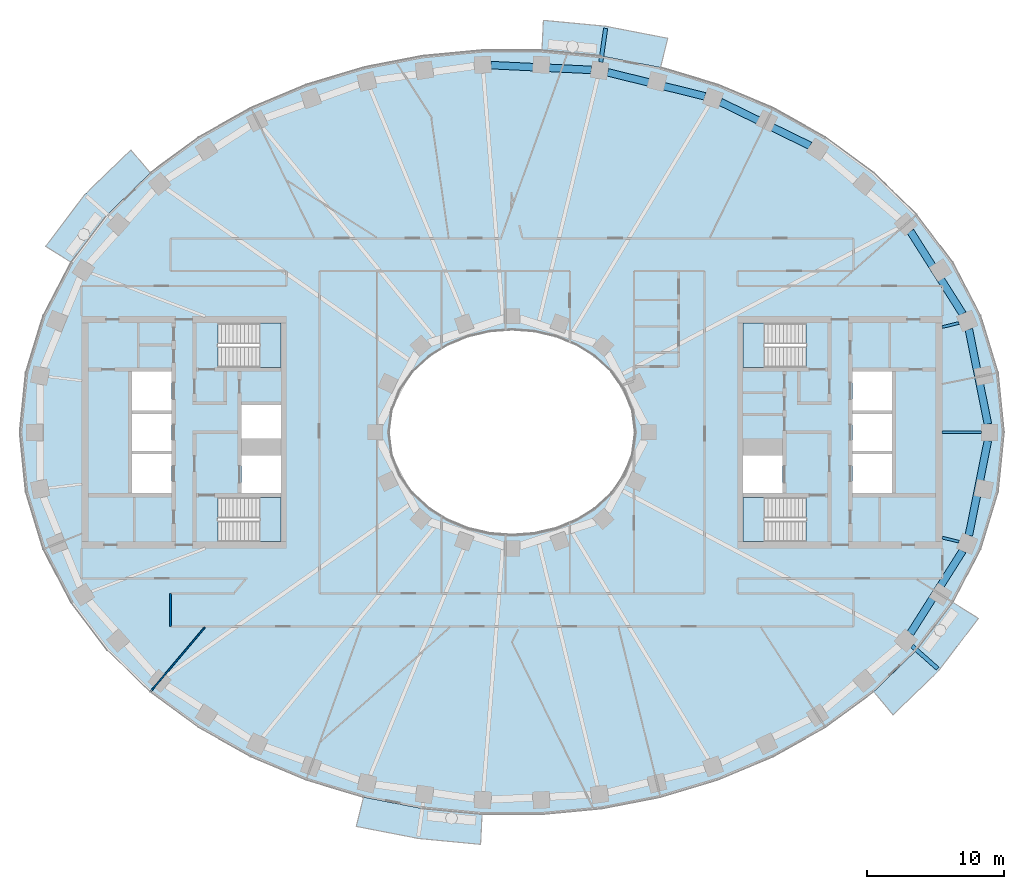
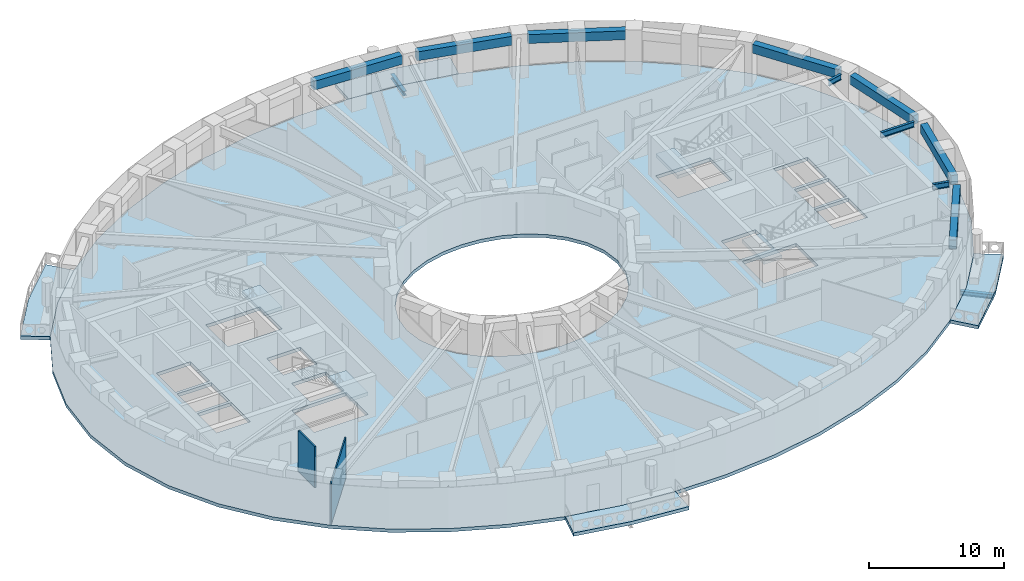
# One storey, part 2 of 16: 12 beams, 9 slabs, 2 walls, 4 elements without a shape of their own.
"""IFC4 building model written with IfcOpenShell, lengths in metres."""

import ifcopenshell
import ifcopenshell.guid

model = None  # the IFC model being written
_history = None  # IfcOwnerHistory: only IFC2X3 demands one
_inside = {}  # id of a spatial element -> (the spatial element, [elements in it])
_under = {}  # id of a project, library or spatial element -> (it, [spatial elements below it])
_declared = {}  # id of a project -> (the project, [libraries it declares])
_typed = {}  # id of a type object -> (the type object, [elements of that type])
_made_of = {}  # id of a material, layer set ... -> (it, [elements and type objects made of it])


def new_model(schema):
    """Start an empty IFC model of exactly this schema.

    Asked for "IFC4X3", IfcOpenShell would pick the latest addendum, in which some entities
    have other attributes; the version numbers below select the first issue.
    IFC2X3 requires an IfcOwnerHistory on every rooted entity: one is made here for all.
    """
    global model, _history
    if schema == "IFC4X3":
        model = ifcopenshell.file(schema_version=(4, 3, 0, 0))
    else:
        model = ifcopenshell.file(schema=schema)
    _inside.clear()
    _under.clear()
    _declared.clear()
    _typed.clear()
    _made_of.clear()
    _history = None
    if model.schema == "IFC2X3":
        org = make("IfcOrganization", Name="unknown")
        user = make(
            "IfcPersonAndOrganization",
            ThePerson=make("IfcPerson", FamilyName="unknown"),
            TheOrganization=org,
        )
        app = make(
            "IfcApplication",
            ApplicationDeveloper=org,
            Version="unknown",
            ApplicationFullName="unknown",
            ApplicationIdentifier="unknown",
        )
        _history = make(
            "IfcOwnerHistory",
            OwningUser=user,
            OwningApplication=app,
            ChangeAction="ADDED",
            CreationDate=0,
        )
    return model


def make(cls, **values):
    """One entity of the class cls with the attributes given. An attribute that is None is left unset."""
    return model.create_entity(
        cls, **{name: value for name, value in values.items() if value is not None}
    )


def rooted(cls, **values):
    """An entity with a GlobalId (a new one), such as an element, a storey or a relation."""
    return make(cls, GlobalId=ifcopenshell.guid.new(), OwnerHistory=_history, **values)


def si_unit(unit_type, name, prefix=None):
    """IfcSIUnit, for example si_unit("LENGTHUNIT", "METRE", prefix="MILLI")."""
    return make("IfcSIUnit", UnitType=unit_type, Prefix=prefix, Name=name)


def assignment(units):
    """IfcUnitAssignment: the units of a project."""
    return None if units is None else make("IfcUnitAssignment", Units=units)


def point(xyz):
    """IfcCartesianPoint."""
    return None if xyz is None else make("IfcCartesianPoint", Coordinates=xyz)


def direction(xyz):
    """IfcDirection."""
    return None if xyz is None else make("IfcDirection", DirectionRatios=xyz)


def frame(location, z_axis=None, x_axis=None):
    """IfcAxis2Placement3D, a coordinate frame: its origin and axes. An axis left out is left unset."""
    return make(
        "IfcAxis2Placement3D",
        Location=point(location),
        Axis=direction(z_axis),
        RefDirection=direction(x_axis),
    )


def frame_2d(location, x_axis=None):
    """IfcAxis2Placement2D, a coordinate frame in the plane: its origin and x axis."""
    return make(
        "IfcAxis2Placement2D", Location=point(location), RefDirection=direction(x_axis)
    )


def origin():
    """The frame at (0, 0, 0) with its axes left unset."""
    return frame((0.0, 0.0, 0.0))


def origin_2d():
    """The frame at (0, 0) in the plane with its x axis left unset."""
    return frame_2d((0.0, 0.0))


def place(relative_to, where):
    """IfcLocalPlacement: puts the frame where relative to a parent placement (None: the world)."""
    return make(
        "IfcLocalPlacement", PlacementRelTo=relative_to, RelativePlacement=where
    )


def context(
    kind, dimensions, precision=None, world=None, true_north=None, identifier=None
):
    """IfcGeometricRepresentationContext, for example the 3D "Model" context."""
    return make(
        "IfcGeometricRepresentationContext",
        ContextIdentifier=identifier,
        ContextType=kind,
        CoordinateSpaceDimension=dimensions,
        Precision=precision,
        WorldCoordinateSystem=world,
        TrueNorth=true_north,
    )


def subcontext(parent, identifier, kind, view, scale=None):
    """IfcGeometricRepresentationSubContext, for example "Body" below "Model"."""
    return make(
        "IfcGeometricRepresentationSubContext",
        ContextIdentifier=identifier,
        ContextType=kind,
        ParentContext=parent,
        TargetScale=scale,
        TargetView=view,
    )


def project(units=None, contexts=None):
    """IfcProject with its units and contexts."""
    return rooted(
        "IfcProject",
        Name="project",
        RepresentationContexts=contexts,
        UnitsInContext=assignment(units),
    )


def spatial(cls, under=None, at=None, **own):
    """A site, building, storey or space (cls), placed at a placement, below another one or the project."""
    s = rooted(cls, ObjectPlacement=at, **own)
    if under is not None:
        _under.setdefault(under.id(), (under, []))[1].append(s)
    return s


def polyline(points):
    """IfcPolyline through the points."""
    return make("IfcPolyline", Points=[point(p) for p in points])


def profile(cls, at=None, kind="AREA", **sizes):
    """A parametric profile (cls). Its sizes go by their IFC names, for example OverallWidth=200.0."""
    return make(cls, ProfileType=kind, Position=at, **sizes)


def rectangle(**sizes):
    """IfcRectangleProfileDef."""
    return profile("IfcRectangleProfileDef", **sizes)


def i_section(**sizes):
    """IfcIShapeProfileDef."""
    return profile("IfcIShapeProfileDef", **sizes)


def outline(outer, holes=None, kind="AREA"):
    """IfcArbitraryClosedProfileDef: a profile drawn as a closed curve; with holes, ...WithVoids."""
    if holes is None:
        return make("IfcArbitraryClosedProfileDef", ProfileType=kind, OuterCurve=outer)
    return make(
        "IfcArbitraryProfileDefWithVoids",
        ProfileType=kind,
        OuterCurve=outer,
        InnerCurves=holes,
    )


def extrude(swept, where, along, depth):
    """IfcExtrudedAreaSolid: the profile swept, set in the frame where, extruded along a direction by depth."""
    return make(
        "IfcExtrudedAreaSolid",
        SweptArea=swept,
        Position=where,
        ExtrudedDirection=direction(along),
        Depth=depth,
    )


def shape(context_of_items, identifier, shape_type, items):
    """IfcShapeRepresentation: the items that make up one representation, for example the "Body"."""
    return make(
        "IfcShapeRepresentation",
        ContextOfItems=context_of_items,
        RepresentationIdentifier=identifier,
        RepresentationType=shape_type,
        Items=items,
    )


def material(Name=None, Category=None):
    """IfcMaterial."""
    return make("IfcMaterial", Name=Name, Category=Category)


def layer(
    of_material, thickness, ventilated=None, Name=None, Category=None, Priority=None
):
    """IfcMaterialLayer: one layer of a wall or slab, of a material (None: an air gap)."""
    return make(
        "IfcMaterialLayer",
        Material=of_material,
        LayerThickness=thickness,
        IsVentilated=ventilated,
        Name=Name,
        Category=Category,
        Priority=Priority,
    )


def layer_set(layers, Name=None):
    """IfcMaterialLayerSet."""
    return make("IfcMaterialLayerSet", MaterialLayers=layers, LayerSetName=Name)


def material_profile(
    of_material, cross_section, Name=None, Category=None, Priority=None
):
    """IfcMaterialProfile: a cross section and its material."""
    return make(
        "IfcMaterialProfile",
        Name=Name,
        Material=of_material,
        Profile=cross_section,
        Priority=Priority,
        Category=Category,
    )


def profile_set(profiles, Name=None, composite=None):
    """IfcMaterialProfileSet."""
    return make(
        "IfcMaterialProfileSet",
        Name=Name,
        MaterialProfiles=profiles,
        CompositeProfile=composite,
    )


def made_of(thing, what):
    """Note that an element or type object is made of a material, layer set ...; save() writes the relation."""
    if what is not None:
        _made_of.setdefault(what.id(), (what, []))[1].append(thing)
    return thing


def type_object(cls, material=None, **own):
    """A type object (cls), such as IfcWallType, which elements share."""
    return made_of(rooted(cls, **own), material)


def element(
    cls,
    number,
    at=None,
    inside=None,
    cuts=None,
    type_object=None,
    material=None,
    context=None,
    identifier="Body",
    shape_type=None,
    held_by="IfcProductDefinitionShape",
    body=None,
    shapes=None,
    **own,
):
    """One element of the class cls, such as IfcWall. Its Tag is "e" and its number.

    at: its placement. inside: the storey or other place that contains it. cuts: it is an
    opening in that element (IfcRelVoidsElement). A single representation is given by context,
    identifier, shape_type and body (its items); several are given by shapes. held_by: the class
    of the entity that holds the representations. save() writes the other relations.
    """
    e = rooted(cls, Tag="e%d" % number, ObjectPlacement=at, **own)
    if body is not None:
        shapes = [shape(context, identifier, shape_type, body)]
    if shapes is not None:
        e.Representation = make(held_by, Representations=shapes)
    if inside is not None:
        _inside.setdefault(inside.id(), (inside, []))[1].append(e)
    if cuts is not None:
        rooted(
            "IfcRelVoidsElement", RelatingBuildingElement=cuts, RelatedOpeningElement=e
        )
    if type_object is not None:
        _typed.setdefault(type_object.id(), (type_object, []))[1].append(e)
    return made_of(e, material)


def aggregate(whole, parts):
    """IfcRelAggregates: a whole, such as a stair, and the parts it consists of."""
    return rooted("IfcRelAggregates", RelatingObject=whole, RelatedObjects=parts)


def save(model, path):
    """Write the relations noted so far, then the file.

    IfcRelAggregates (storeys below a building ...), IfcRelContainedInSpatialStructure (elements
    in a storey), IfcRelDefinesByType, IfcRelAssociatesMaterial and IfcRelDeclares: one each for
    every whole, place, type object, material and project.
    """
    for whole, parts in _under.values():
        aggregate(whole, parts)
    for where, things in _inside.values():
        rooted(
            "IfcRelContainedInSpatialStructure",
            RelatedElements=things,
            RelatingStructure=where,
        )
    for kind, things in _typed.values():
        rooted("IfcRelDefinesByType", RelatedObjects=things, RelatingType=kind)
    for what, things in _made_of.values():
        rooted("IfcRelAssociatesMaterial", RelatedObjects=things, RelatingMaterial=what)
    for by, libraries in _declared.values():
        rooted("IfcRelDeclares", RelatingContext=by, RelatedDefinitions=libraries)
    model.write(path)


model = new_model("IFC4")

# Units and contexts
model_context = context("Model", 3, precision=1e-05, world=origin(), true_north=direction((0.0, 1.0)))
body_context = subcontext(model_context, "Body", "Model", "MODEL_VIEW")
ifc_project = project(units=[si_unit("LENGTHUNIT", "METRE"), si_unit("AREAUNIT", "SQUARE_METRE"), si_unit("VOLUMEUNIT", "CUBIC_METRE"), si_unit("PLANEANGLEUNIT", "RADIAN"), si_unit("MASSUNIT", "GRAM", prefix="KILO")], contexts=[model_context])

# Site, building, storey
site_placement = place(None, origin())
site = spatial("IfcSite", under=ifc_project, at=site_placement, CompositionType="ELEMENT")
building_placement = place(site_placement, origin())
building = spatial("IfcBuilding", under=site, at=building_placement, Name="Noorbagh Ring Tower", CompositionType="ELEMENT")
storey_placement = place(building_placement, frame((0.0, 0.0, 124.0)))
storey = spatial("IfcBuildingStorey", under=building, at=storey_placement, Name="L28", CompositionType="ELEMENT", Elevation=124.0)

# Beams
ifc_material_1 = material(Name="Steel S355", Category="steel")
ifc_material_profile_1 = material_profile(ifc_material_1, i_section(OverallWidth=0.300048828125, OverallDepth=0.39990234375, WebThickness=0.013427734375, FlangeThickness=0.02392578125, FilletRadius=0.027099609375, at=origin_2d()), Name="HEB400")
ifc_profile_set_1 = profile_set([ifc_material_profile_1], Name="Steel S355")
beam_type_1 = type_object("IfcBeamType", Name="STR-BALCONY-BRACKET-HEB400", PredefinedType="BEAM", material=ifc_profile_set_1)
beam_1_placement = place(storey_placement, frame((6.495849609375, 27.089599609375, -0.5), z_axis=(0.143035199344, 0.98971760202, 0.0), x_axis=(-0.98971760202, 0.143035199344, 0.0)))
element("IfcBeam", 1, at=beam_1_placement, inside=storey, type_object=beam_type_1, Name="Balcony bracket beam BN03", PredefinedType="BEAM", context=body_context, shape_type="SweptSolid", body=[
    extrude(i_section(OverallWidth=0.300048828125, OverallDepth=0.39990234375, WebThickness=0.013427734375, FlangeThickness=0.02392578125, FilletRadius=0.027099609375, at=origin_2d()), origin(), (0.0, 0.0, 1.0), 2.498779296875),
])
beam_2_placement = place(storey_placement, frame((29.27197265625, -15.63134765625, -0.5), z_axis=(0.749063543205, -0.662498157161, 0.0), x_axis=(0.662498157161, 0.749063543205, 0.0)))
element("IfcBeam", 2, at=beam_2_placement, inside=storey, type_object=beam_type_1, Name="Balcony bracket beam BS06", PredefinedType="BEAM", context=body_context, shape_type="SweptSolid", body=[
    extrude(i_section(OverallWidth=0.300048828125, OverallDepth=0.39990234375, WebThickness=0.013427734375, FlangeThickness=0.02392578125, FilletRadius=0.027099609375, at=origin_2d()), origin(), (0.0, 0.0, 1.0), 2.50439453125),
])
ifc_material_2 = material(Name="Steel S355", Category="steel")
ifc_material_profile_2 = material_profile(ifc_material_2, i_section(OverallWidth=0.199951171875, OverallDepth=0.5, WebThickness=0.01025390625, FlangeThickness=0.01611328125, FilletRadius=0.02099609375, at=origin_2d()), Name="IPE500")
ifc_profile_set_2 = profile_set([ifc_material_profile_2], Name="Steel S355")
beam_type_2 = type_object("IfcBeamType", Name="STR-RAD-IPE500", PredefinedType="BEAM", material=ifc_profile_set_2)
beam_3_placement = place(storey_placement, frame((34.339599609375, 0.0, 3.449951171875), z_axis=(-1.0, 0.0, 0.0), x_axis=(0.0, -1.0, 0.0)))
element("IfcBeam", 3, at=beam_3_placement, inside=storey, type_object=beam_type_2, Name="L28/bm/RD01", PredefinedType="BEAM", context=body_context, shape_type="SweptSolid", body=[
    extrude(i_section(OverallWidth=0.199951171875, OverallDepth=0.5, WebThickness=0.01025390625, FlangeThickness=0.01611328125, FilletRadius=0.02099609375, at=origin_2d()), origin(), (0.0, 0.0, 1.0), 2.859619140625),
])
for number, where, z_axis, x_axis, name in (
    (4, (32.710693359375, 8.00390625, 3.449951171875), (-0.971343647719, -0.237679443865, 0.0), (0.237679443865, -0.971343647719, 0.0), "L28/bm/RD03"),
    (5, (32.710693359375, -8.00390625, 3.449951171875), (-0.971343647719, 0.237679443865, 0.0), (-0.237679443865, -0.971343647719, 0.0), "L28/bm/RD45"),
):
    element("IfcBeam", number, at=place(storey_placement, frame(where, z_axis=z_axis, x_axis=x_axis)), inside=storey, type_object=beam_type_2, Name=name, PredefinedType="BEAM", context=body_context, shape_type="SweptSolid", body=[
        extrude(i_section(OverallWidth=0.199951171875, OverallDepth=0.5, WebThickness=0.01025390625, FlangeThickness=0.01611328125, FilletRadius=0.02099609375, at=origin_2d()), origin(), (0.0, 0.0, 1.0), 1.2666015625),
    ])
ifc_material_3 = material(Name="Concrete C40/50", Category="concrete")
ifc_material_profile_3 = material_profile(ifc_material_3, rectangle(XDim=0.550048828125, YDim=0.800048828125, at=origin_2d()), Name="RC550x800")
ifc_profile_set_3 = profile_set([ifc_material_profile_3], Name="Concrete C40/50")
beam_type_3 = type_object("IfcBeamType", Name="STR-SB-RC550x800-C40-50", PredefinedType="BEAM", material=ifc_profile_set_3)
beam_4_placement = place(storey_placement, frame((34.822998046875, 0.60546875, 3.300048828125), z_axis=(-0.197250205232, 0.98035317949, 0.0), x_axis=(-0.98035317949, -0.197250205232, 0.0)))
element("IfcBeam", 6, at=beam_4_placement, inside=storey, type_object=beam_type_3, Name="L28/bm/SP01", PredefinedType="BEAM", context=body_context, shape_type="SweptSolid", body=[
    extrude(rectangle(XDim=0.550048828125, YDim=0.800048828125, at=origin_2d()), origin(), (0.0, 0.0, 1.0), 7.07861328125),
])
beam_5_placement = place(storey_placement, frame((32.97607421875, 8.668701171875, 3.300048828125), z_axis=(-0.535178715716, 0.844738860385, 0.0), x_axis=(-0.844738860385, -0.535178715716, 0.0)))
element("IfcBeam", 7, at=beam_5_placement, inside=storey, type_object=beam_type_3, Name="L28/bm/SP03", PredefinedType="BEAM", context=body_context, shape_type="SweptSolid", body=[
    extrude(rectangle(XDim=0.550048828125, YDim=0.800048828125, at=origin_2d()), origin(), (0.0, 0.0, 1.0), 7.15478515625),
])
beam_6_placement = place(storey_placement, frame((21.814453125, 20.967529296875, 3.300048828125), z_axis=(-0.898391398986, 0.439195735667, 0.0), x_axis=(-0.439195735667, -0.898391398986, 0.0)))
element("IfcBeam", 8, at=beam_6_placement, inside=storey, type_object=beam_type_3, Name="L28/bm/SP07", PredefinedType="BEAM", context=body_context, shape_type="SweptSolid", body=[
    extrude(rectangle(XDim=0.550048828125, YDim=0.800048828125, at=origin_2d()), origin(), (0.0, 0.0, 1.0), 7.2998046875),
])
beam_7_placement = place(storey_placement, frame((14.118896484375, 24.586669921875, 3.300048828125), z_axis=(-0.970829859213, 0.239769440213, 0.0), x_axis=(-0.239769440213, -0.970829859213, 0.0)))
element("IfcBeam", 9, at=beam_7_placement, inside=storey, type_object=beam_type_3, Name="L28/bm/SP09", PredefinedType="BEAM", context=body_context, shape_type="SweptSolid", body=[
    extrude(rectangle(XDim=0.550048828125, YDim=0.800048828125, at=origin_2d()), origin(), (0.0, 0.0, 1.0), 7.333251953125),
])
beam_8_placement = place(storey_placement, frame((5.802001953125, 26.519775390625, 3.300048828125), z_axis=(-0.998868588799, 0.047555675902, 0.0), x_axis=(-0.047555675902, -0.998868588799, 0.0)))
element("IfcBeam", 10, at=beam_8_placement, inside=storey, type_object=beam_type_3, Name="L28/bm/SP11", PredefinedType="BEAM", context=body_context, shape_type="SweptSolid", body=[
    extrude(rectangle(XDim=0.550048828125, YDim=0.800048828125, at=origin_2d()), origin(), (0.0, 0.0, 1.0), 7.346435546875),
])
beam_9_placement = place(storey_placement, frame((29.14697265625, -14.712646484375, 3.300048828125), z_axis=(0.535178715716, 0.844738860385, 0.0), x_axis=(-0.844738860385, 0.535178715716, 0.0)))
element("IfcBeam", 11, at=beam_9_placement, inside=storey, type_object=beam_type_3, Name="L28/bm/SP43", PredefinedType="BEAM", context=body_context, shape_type="SweptSolid", body=[
    extrude(rectangle(XDim=0.550048828125, YDim=0.800048828125, at=origin_2d()), origin(), (0.0, 0.0, 1.0), 7.15478515625),
])
beam_10_placement = place(storey_placement, frame((33.4267578125, -7.544921875, 3.300048828125), z_axis=(0.197250205232, 0.98035317949, 0.0), x_axis=(-0.98035317949, 0.197250205232, 0.0)))
element("IfcBeam", 12, at=beam_10_placement, inside=storey, type_object=beam_type_3, Name="L28/bm/SP45", PredefinedType="BEAM", context=body_context, shape_type="SweptSolid", body=[
    extrude(rectangle(XDim=0.550048828125, YDim=0.800048828125, at=origin_2d()), origin(), (0.0, 0.0, 1.0), 7.07861328125),
])

# Stair, slab
ifc_material_4 = material(Name="Concrete C40/50", Category="concrete")
stair_type = type_object("IfcStairType", Name="CORE-STAIR", PredefinedType="HALF_TURN_STAIR", material=ifc_material_4)
stair_1_placement = place(storey_placement, origin())
stair_1 = element("IfcStair", 13, at=stair_1_placement, inside=storey, type_object=stair_type, Name="L28 Exit stair ST1", PredefinedType="HALF_TURN_STAIR")
ifc_material_5 = material(Name="Concrete C40/50", Category="concrete")
ifc_layer_1 = layer(ifc_material_5, 0.300048828125)
ifc_layer_set_1 = layer_set([ifc_layer_1], Name="Concrete C40/50")
slab_type_1 = type_object("IfcSlabType", Name="CORE-STAIR-LANDING", PredefinedType="LANDING", material=ifc_layer_set_1)
slab_1_placement = place(storey_placement, frame((0.0, 0.0, 1.699951171875)))
slab_1 = element("IfcSlab", 14, at=slab_1_placement, type_object=slab_type_1, Name="ST1 landing 1", PredefinedType="LANDING", context=body_context, shape_type="SweptSolid", body=[
    extrude(outline(polyline([(-18.449951171875, 4.75), (-16.89990234375, 4.75), (-16.89990234375, 8.0), (-18.449951171875, 8.0), (-18.449951171875, 4.75)])), origin(), (0.0, 0.0, 1.0), 0.300048828125),
])
aggregate(stair_1, [slab_1])

stair_2_placement = place(storey_placement, origin())
stair_2 = element("IfcStair", 15, at=stair_2_placement, inside=storey, type_object=stair_type, Name="L28 Exit stair ST2", PredefinedType="HALF_TURN_STAIR")
slab_2_placement = place(storey_placement, frame((0.0, 0.0, 1.699951171875)))
slab_2 = element("IfcSlab", 16, at=slab_2_placement, type_object=slab_type_1, Name="ST2 landing 1", PredefinedType="LANDING", context=body_context, shape_type="SweptSolid", body=[
    extrude(outline(polyline([(-18.449951171875, -8.0), (-16.89990234375, -8.0), (-16.89990234375, -4.75), (-18.449951171875, -4.75), (-18.449951171875, -8.0)])), origin(), (0.0, 0.0, 1.0), 0.300048828125),
])
aggregate(stair_2, [slab_2])

stair_3_placement = place(storey_placement, origin())
stair_3 = element("IfcStair", 17, at=stair_3_placement, inside=storey, type_object=stair_type, Name="L28 Exit stair ST3", PredefinedType="HALF_TURN_STAIR")
slab_3_placement = place(storey_placement, frame((0.0, 0.0, 1.699951171875)))
slab_3 = element("IfcSlab", 18, at=slab_3_placement, type_object=slab_type_1, Name="ST3 landing 1", PredefinedType="LANDING", context=body_context, shape_type="SweptSolid", body=[
    extrude(outline(polyline([(18.449951171875, 8.0), (16.89990234375, 8.0), (16.89990234375, 4.75), (18.449951171875, 4.75), (18.449951171875, 8.0)])), origin(), (0.0, 0.0, 1.0), 0.300048828125),
])
aggregate(stair_3, [slab_3])

stair_4_placement = place(storey_placement, origin())
stair_4 = element("IfcStair", 19, at=stair_4_placement, inside=storey, type_object=stair_type, Name="L28 Exit stair ST4", PredefinedType="HALF_TURN_STAIR")
slab_4_placement = place(storey_placement, frame((0.0, 0.0, 1.699951171875)))
slab_4 = element("IfcSlab", 20, at=slab_4_placement, type_object=slab_type_1, Name="ST4 landing 1", PredefinedType="LANDING", context=body_context, shape_type="SweptSolid", body=[
    extrude(outline(polyline([(18.449951171875, -4.75), (16.89990234375, -4.75), (16.89990234375, -8.0), (18.449951171875, -8.0), (18.449951171875, -4.75)])), origin(), (0.0, 0.0, 1.0), 0.300048828125),
])
aggregate(stair_4, [slab_4])

# Slabs
ifc_material_6 = material(Name="Concrete C40/50", Category="concrete")
ifc_layer_2 = layer(ifc_material_6, 0.300048828125)
ifc_layer_set_2 = layer_set([ifc_layer_2], Name="Concrete C40/50")
slab_type_2 = type_object("IfcSlabType", Name="ENV-BALCONY DECK 300", PredefinedType="FLOOR", material=ifc_layer_set_2)
slab_5_placement = place(storey_placement, frame((0.0, 0.0, -0.300048828125)))
element("IfcSlab", 21, at=slab_5_placement, inside=storey, type_object=slab_type_2, Name="Tree balcony deck BN03", PredefinedType="FLOOR", context=body_context, shape_type="SweptSolid", body=[
    extrude(outline(polyline([(11.3935546875, 28.832763671875), (6.874755859375, 29.711181640625), (2.2978515625, 30.14794921875), (2.193115234375, 27.947998046875), (6.5595703125, 27.53125), (10.865234375, 26.6943359375), (11.3935546875, 28.832763671875)])), origin(), (0.0, 0.0, 1.0), 0.300048828125),
])
slab_6_placement = place(storey_placement, frame((0.0, 0.0, -0.300048828125)))
element("IfcSlab", 22, at=slab_6_placement, inside=storey, type_object=slab_type_2, Name="Tree balcony deck BN06", PredefinedType="FLOOR", context=body_context, shape_type="SweptSolid", body=[
    extrude(outline(polyline([(-27.888671875, 20.665771484375), (-31.26025390625, 17.389892578125), (-34.120361328125, 13.615966796875), (-32.255126953125, 12.434814453125), (-29.607666015625, 15.92822265625), (-26.463134765625, 18.983154296875), (-27.888671875, 20.665771484375)])), origin(), (0.0, 0.0, 1.0), 0.300048828125),
])
slab_7_placement = place(storey_placement, frame((0.0, 0.0, -0.300048828125)))
element("IfcSlab", 23, at=slab_7_placement, inside=storey, type_object=slab_type_2, Name="Tree balcony deck BS03", PredefinedType="FLOOR", context=body_context, shape_type="SweptSolid", body=[
    extrude(outline(polyline([(-11.3935546875, -28.832763671875), (-6.874755859375, -29.711181640625), (-2.2978515625, -30.14794921875), (-2.193115234375, -27.947998046875), (-6.5595703125, -27.53125), (-10.865234375, -26.6943359375), (-11.3935546875, -28.832763671875)])), origin(), (0.0, 0.0, 1.0), 0.300048828125),
])
slab_8_placement = place(storey_placement, frame((0.0, 0.0, -0.300048828125)))
element("IfcSlab", 24, at=slab_8_placement, inside=storey, type_object=slab_type_2, Name="Tree balcony deck BS06", PredefinedType="FLOOR", context=body_context, shape_type="SweptSolid", body=[
    extrude(outline(polyline([(27.888671875, -20.665771484375), (31.26025390625, -17.389892578125), (34.120361328125, -13.615966796875), (32.255126953125, -12.434814453125), (29.607666015625, -15.92822265625), (26.463134765625, -18.983154296875), (27.888671875, -20.665771484375)])), origin(), (0.0, 0.0, 1.0), 0.300048828125),
])
ifc_material_7 = material(Name="Concrete C40/50", Category="concrete")
ifc_layer_3 = layer(ifc_material_7, 0.300048828125)
ifc_layer_set_3 = layer_set([ifc_layer_3], Name="Concrete C40/50")
slab_type_3 = type_object("IfcSlabType", Name="STR-FLOOR-DECK-300", PredefinedType="FLOOR", material=ifc_layer_set_3)
slab_9_placement = place(storey_placement, frame((0.0, 0.0, -0.300048828125)))
element("IfcSlab", 25, at=slab_9_placement, inside=storey, type_object=slab_type_3, Name="L28/slab/1", PredefinedType="FLOOR", context=body_context, shape_type="SweptSolid", body=[
    extrude(outline(polyline([(36.0, 0.0), (35.56103515625, 4.358642578125), (34.281005859375, 8.548828125), (32.255126953125, 12.434814453125), (29.607666015625, 15.92822265625), (26.463134765625, 18.983154296875), (22.9326171875, 21.583740234375), (19.108154296875, 23.730224609375), (15.0654296875, 25.430419921875), (10.865234375, 26.6943359375), (6.5595703125, 27.53125), (2.193115234375, 27.947998046875), (-2.193115234375, 27.947998046875), (-6.5595703125, 27.53125), (-10.865234375, 26.6943359375), (-15.0654296875, 25.430419921875), (-19.108154296875, 23.730224609375), (-22.9326171875, 21.583740234375), (-26.463134765625, 18.983154296875), (-29.607666015625, 15.92822265625), (-32.255126953125, 12.434814453125), (-34.281005859375, 8.548828125), (-35.56103515625, 4.358642578125), (-36.0, 0.0), (-35.56103515625, -4.358642578125), (-34.281005859375, -8.548828125), (-32.255126953125, -12.434814453125), (-29.607666015625, -15.92822265625), (-26.463134765625, -18.983154296875), (-22.9326171875, -21.583740234375), (-19.108154296875, -23.730224609375), (-15.0654296875, -25.430419921875), (-10.865234375, -26.6943359375), (-6.5595703125, -27.53125), (-2.193115234375, -27.947998046875), (2.193115234375, -27.947998046875), (6.5595703125, -27.53125), (10.865234375, -26.6943359375), (15.0654296875, -25.430419921875), (19.108154296875, -23.730224609375), (22.9326171875, -21.583740234375), (26.463134765625, -18.983154296875), (29.607666015625, -15.92822265625), (32.255126953125, -12.434814453125), (34.281005859375, -8.548828125), (35.56103515625, -4.358642578125), (36.0, 0.0)]), holes=[polyline([(24.89990234375, -1.60009765625), (27.800048828125, -1.60009765625), (27.800048828125, -4.449951171875), (24.89990234375, -4.449951171875), (24.89990234375, -1.60009765625)]), polyline([(24.89990234375, 1.35009765625), (27.800048828125, 1.35009765625), (27.800048828125, -1.35009765625), (24.89990234375, -1.35009765625), (24.89990234375, 1.35009765625)]), polyline([(24.89990234375, 4.449951171875), (27.800048828125, 4.449951171875), (27.800048828125, 1.60009765625), (24.89990234375, 1.60009765625), (24.89990234375, 4.449951171875)]), polyline([(21.529541015625, -4.75), (21.529541015625, -8.0), (16.89990234375, -8.0), (16.89990234375, -4.75), (21.529541015625, -4.75)]), polyline([(21.529541015625, 4.75), (16.89990234375, 4.75), (16.89990234375, 8.0), (21.529541015625, 8.0), (21.529541015625, 4.75)]), polyline([(16.89990234375, -1.699951171875), (19.800048828125, -1.699951171875), (19.800048828125, -4.449951171875), (16.89990234375, -4.449951171875), (16.89990234375, -1.699951171875)]), polyline([(4.697509765625, -6.3974609375), (3.196533203125, -7.010986328125), (1.6171875, -7.3779296875), (0.0, -7.5), (-1.6171875, -7.3779296875), (-3.196533203125, -7.010986328125), (-4.697509765625, -6.3974609375), (-6.071044921875, -5.53662109375), (-7.2587890625, -4.43408203125), (-8.1904296875, -3.10888671875), (-8.79150390625, -1.605224609375), (-9.0, 0.0), (-8.79150390625, 1.605224609375), (-8.1904296875, 3.10888671875), (-7.2587890625, 4.43408203125), (-6.071044921875, 5.53662109375), (-4.697509765625, 6.3974609375), (-3.196533203125, 7.010986328125), (-1.6171875, 7.3779296875), (0.0, 7.5), (1.6171875, 7.3779296875), (3.196533203125, 7.010986328125), (4.697509765625, 6.3974609375), (6.071044921875, 5.53662109375), (7.2587890625, 4.43408203125), (8.1904296875, 3.10888671875), (8.79150390625, 1.605224609375), (9.0, 0.0), (8.79150390625, -1.605224609375), (8.1904296875, -3.10888671875), (7.2587890625, -4.43408203125), (6.071044921875, -5.53662109375), (4.697509765625, -6.3974609375)]), polyline([(-21.529541015625, -8.0), (-21.529541015625, -4.75), (-16.89990234375, -4.75), (-16.89990234375, -8.0), (-21.529541015625, -8.0)]), polyline([(-21.529541015625, 8.0), (-16.89990234375, 8.0), (-16.89990234375, 4.75), (-21.529541015625, 4.75), (-21.529541015625, 8.0)]), polyline([(-16.89990234375, -4.449951171875), (-19.800048828125, -4.449951171875), (-19.800048828125, -1.699951171875), (-16.89990234375, -1.699951171875), (-16.89990234375, -4.449951171875)]), polyline([(-16.89990234375, -0.449951171875), (-19.800048828125, -0.449951171875), (-19.800048828125, 2.0), (-16.89990234375, 2.0), (-16.89990234375, -0.449951171875)]), polyline([(-24.89990234375, -4.449951171875), (-27.800048828125, -4.449951171875), (-27.800048828125, -1.60009765625), (-24.89990234375, -1.60009765625), (-24.89990234375, -4.449951171875)]), polyline([(-24.89990234375, -1.35009765625), (-27.800048828125, -1.35009765625), (-27.800048828125, 1.35009765625), (-24.89990234375, 1.35009765625), (-24.89990234375, -1.35009765625)]), polyline([(-24.89990234375, 1.60009765625), (-27.800048828125, 1.60009765625), (-27.800048828125, 4.449951171875), (-24.89990234375, 4.449951171875), (-24.89990234375, 1.60009765625)])]), origin(), (0.0, 0.0, 1.0), 0.300048828125),
])

# Walls
ifc_material_8 = material(Name="Gypsum board on steel studs", Category="steel")
ifc_layer_4 = layer(ifc_material_8, 0.14990234375)
ifc_layer_set_4 = layer_set([ifc_layer_4], Name="Gypsum board on steel studs")
wall_type_1 = type_object("IfcWallType", Name="CORRIDOR PARTITION 150 EI 30", PredefinedType="PARTITIONING", material=ifc_layer_set_4)
wall_1_placement = place(storey_placement, frame((-25.0, -14.199951171875, 0.0), z_axis=(0.0, 0.0, 1.0), x_axis=(0.0, 1.0, 0.0)))
element("IfcWall", 26, at=wall_1_placement, inside=storey, type_object=wall_type_1, Name="L28/wall/P07", PredefinedType="PARTITIONING", context=body_context, shape_type="SweptSolid", body=[
    extrude(rectangle(XDim=2.39990234375, YDim=0.14990234375, at=frame_2d((1.199951171875, 0.0))), origin(), (0.0, 0.0, 1.0), 3.699951171875),
])
ifc_material_9 = material(Name="Gypsum board on steel studs", Category="steel")
ifc_layer_5 = layer(ifc_material_9, 0.10009765625)
ifc_layer_set_5 = layer_set([ifc_layer_5], Name="Gypsum board on steel studs")
wall_type_2 = type_object("IfcWallType", Name="PARTITION 100 GYPSUM", PredefinedType="PARTITIONING", material=ifc_layer_set_5)
wall_2_placement = place(storey_placement, frame((-26.429931640625, -18.945068359375, 0.0), z_axis=(0.0, 0.0, 1.0), x_axis=(0.646335552338, 0.763053309923, 0.0)))
element("IfcWall", 27, at=wall_2_placement, inside=storey, type_object=wall_type_2, Name="L28/wall/P06", PredefinedType="PARTITIONING", context=body_context, shape_type="SweptSolid", body=[
    extrude(rectangle(XDim=6.120361328125, YDim=0.10009765625, at=frame_2d((3.06005859375, 0.0))), origin(), (0.0, 0.0, 1.0), 3.699951171875),
])

save(model, "model.ifc")
